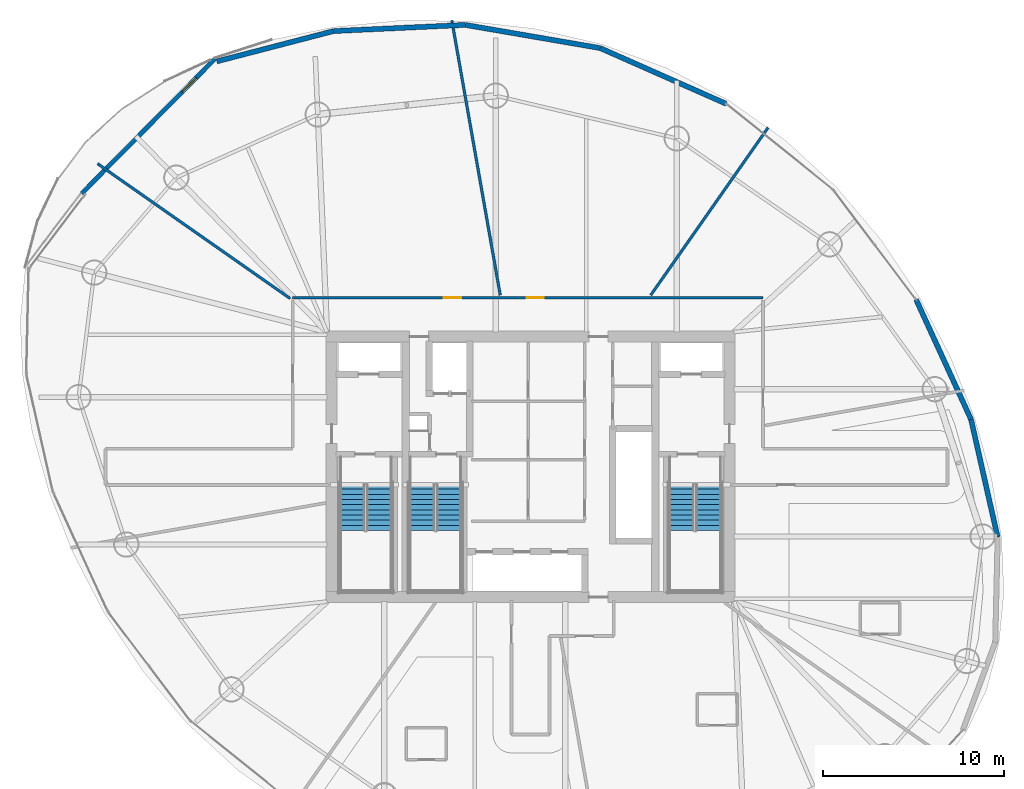
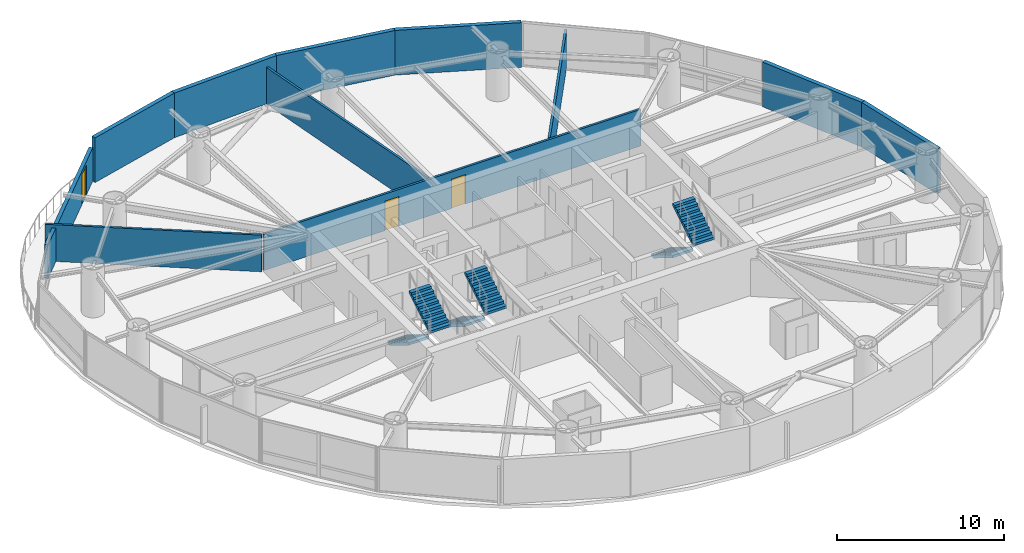
# One storey, part 17 of 20: 11 walls, 6 stair flights, 3 doors, 3 openings, 3 elements without a shape of their own.
"""IFC4 building model written with IfcOpenShell, lengths in metres."""

from ifc_helpers import new_model, si_unit, direction, frame, frame_2d, origin, place, context, subcontext, project, spatial, polyline, rectangle, outline, extrude, material, layer, layer_set, type_object, element, fill, aggregate, save


model = new_model("IFC4")

# Units and contexts
model_context = context("Model", 3, precision=1e-05, world=origin(), true_north=direction((0.0, 1.0)))
body_context = subcontext(model_context, "Body", "Model", "MODEL_VIEW")
ifc_project = project(units=[si_unit("LENGTHUNIT", "METRE"), si_unit("AREAUNIT", "SQUARE_METRE"), si_unit("VOLUMEUNIT", "CUBIC_METRE"), si_unit("PLANEANGLEUNIT", "RADIAN"), si_unit("MASSUNIT", "GRAM", prefix="KILO")], contexts=[model_context])

# Site, building, storey
site_placement = place(None, origin())
site = spatial("IfcSite", under=ifc_project, at=site_placement, CompositionType="ELEMENT")
building_placement = place(site_placement, origin())
building = spatial("IfcBuilding", under=site, at=building_placement, Name="Bramvorn Convention Spire", CompositionType="ELEMENT")
storey_placement = place(building_placement, frame((0.0, 0.0, 155.300048828125)))
storey = spatial("IfcBuildingStorey", under=building, at=storey_placement, Name="L39", CompositionType="ELEMENT", Elevation=155.300048828125)

# Walls
ifc_material_1 = material(Name="Precast Concrete C40/50 with Bronze Terracotta Rainscreen", Category="masonry")
ifc_layer_1 = layer(ifc_material_1, 0.300048828125)
ifc_layer_set_1 = layer_set([ifc_layer_1], Name="Precast Concrete C40/50 with Bronze Terracotta Rainscreen - WL-EXT-BRONZE-300")
wall_type_1 = type_object("IfcWallType", Name="WL-EXT-BRONZE-300", PredefinedType="SOLIDWALL", material=ifc_layer_set_1)
wall_1_placement = place(storey_placement, frame((62.351318359375, 28.619140625, 0.0), z_axis=(0.0, 0.0, 1.0), x_axis=(0.220477855256, -0.975391980355, 0.0)))
element("IfcWall", 1, at=wall_1_placement, inside=storey, type_object=wall_type_1, Name="L39 expressed bronze Gothic lancet pier wall 03", PredefinedType="SOLIDWALL", context=body_context, shape_type="SweptSolid", body=[
    extrude(rectangle(XDim=6.6650390625, YDim=0.280029296875, at=frame_2d((3.33251953125, 0.0))), origin(), (0.0, 0.0, 1.0), 3.260009765625),
])
wall_2_placement = place(storey_placement, frame((59.31298828125, 35.247802734375, 0.0), z_axis=(0.0, 0.0, 1.0), x_axis=(0.416676615021, -0.909054783, 0.0)))
element("IfcWall", 2, at=wall_2_placement, inside=storey, type_object=wall_type_1, Name="L39 expressed bronze Gothic lancet pier wall 04", PredefinedType="SOLIDWALL", context=body_context, shape_type="SweptSolid", body=[
    extrude(rectangle(XDim=7.291748046875, YDim=0.280029296875, at=frame_2d((3.64599609375, 0.0))), origin(), (0.0, 0.0, 1.0), 3.260009765625),
])
wall_3_placement = place(storey_placement, frame((41.852783203125, 49.147216796875, 0.0), z_axis=(0.0, 0.0, 1.0), x_axis=(0.914590963811, -0.404380228147, 0.0)))
element("IfcWall", 3, at=wall_3_placement, inside=storey, type_object=wall_type_1, Name="L39 expressed bronze Gothic lancet pier wall 07", PredefinedType="SOLIDWALL", context=body_context, shape_type="SweptSolid", body=[
    extrude(rectangle(XDim=7.617431640625, YDim=0.280029296875, at=frame_2d((3.80859375, 0.0))), origin(), (0.0, 0.0, 1.0), 3.260009765625),
])
wall_4_placement = place(storey_placement, frame((34.39306640625, 50.42919921875, 0.0), z_axis=(0.0, 0.0, 1.0), x_axis=(0.985552340168, -0.16937114509, 0.0)))
element("IfcWall", 4, at=wall_4_placement, inside=storey, type_object=wall_type_1, Name="L39 expressed bronze Gothic lancet pier wall 08", PredefinedType="SOLIDWALL", context=body_context, shape_type="SweptSolid", body=[
    extrude(rectangle(XDim=7.569091796875, YDim=0.280029296875, at=frame_2d((3.78466796875, 0.0))), origin(), (0.0, 0.0, 1.0), 3.260009765625),
])
wall_5_placement = place(storey_placement, frame((27.109130859375, 50.0888671875, 0.0), z_axis=(0.0, 0.0, 1.0), x_axis=(0.998910234394, 0.0466727289, 0.0)))
element("IfcWall", 5, at=wall_5_placement, inside=storey, type_object=wall_type_1, Name="L39 expressed bronze Gothic lancet pier wall 09", PredefinedType="SOLIDWALL", context=body_context, shape_type="SweptSolid", body=[
    extrude(rectangle(XDim=7.2919921875, YDim=0.280029296875, at=frame_2d((3.64599609375, 0.0))), origin(), (0.0, 0.0, 1.0), 3.260009765625),
])
wall_6_placement = place(storey_placement, frame((20.658203125, 48.412841796875, 0.0), z_axis=(0.0, 0.0, 1.0), x_axis=(0.967866916727, 0.251462982376, 0.0)))
element("IfcWall", 6, at=wall_6_placement, inside=storey, type_object=wall_type_1, Name="L39 expressed bronze Gothic lancet pier wall 10", PredefinedType="SOLIDWALL", context=body_context, shape_type="SweptSolid", body=[
    extrude(rectangle(XDim=6.6650390625, YDim=0.280029296875, at=frame_2d((3.33251953125, 0.0))), origin(), (0.0, 0.0, 1.0), 3.260009765625),
])

# Wall, opening, door
ifc_material_2 = material(Name="Precast Concrete C40/50 Insulated Terrace Wall", Category="concrete")
ifc_layer_2 = layer(ifc_material_2, 0.280029296875)
ifc_layer_set_2 = layer_set([ifc_layer_2], Name="Precast Concrete C40/50 Insulated Terrace Wall - WL-EXT-TERR-280")
wall_type_2 = type_object("IfcWallType", Name="WL-EXT-TERR-280", PredefinedType="SOLIDWALL", material=ifc_layer_set_2)
wall_7_placement = place(storey_placement, frame((13.189453125, 41.11474609375, 0.0), z_axis=(0.0, 0.0, 1.0), x_axis=(0.703641920354, 0.710554746603, 0.0)))
wall_7 = element("IfcWall", 7, at=wall_7_placement, inside=storey, type_object=wall_type_2, Name="L39 Sky Garden recessed terrace wall", PredefinedType="SOLIDWALL", context=body_context, shape_type="SweptSolid", body=[
    extrude(rectangle(XDim=10.4892578125, YDim=0.239990234375, at=frame_2d((5.24462890625, 0.0))), origin(), (0.0, 0.0, 1.0), 2.449951171875),
])
opening_1_placement = place(wall_7_placement, frame((7.88671875, 0.0, 0.0)))
opening_1 = element("IfcOpeningElement", 8, at=opening_1_placement, cuts=wall_7, Name="Opening DE05", PredefinedType="OPENING", context=body_context, shape_type="SweptSolid", body=[
    extrude(rectangle(XDim=1.10009765625, YDim=2.199951171875, at=frame_2d((0.550048828125, 1.10009765625))), frame((0.0, 0.1298828125, 0.0), z_axis=(0.0, -1.0, 0.0), x_axis=(1.0, 0.0, 0.0)), (0.0, 0.0, 1.0), 0.260009765625),
])
ifc_material_3 = material(Name="Anodised Bronze Aluminium & Laminated Safety Glass", Category="aluminium")
door_type_1 = type_object("IfcDoorType", Name="DR-EXT-1100X2200", OperationType="NOTDEFINED", PredefinedType="DOOR", material=ifc_material_3)
door_1_placement = place(opening_1_placement, origin())
door_1 = element("IfcDoor", 9, at=door_1_placement, inside=storey, type_object=door_type_1, Name="L39 Sky Garden Lounge exterior terrace door", OperationType="SINGLE_SWING_LEFT", OverallHeight=2.199951171875, OverallWidth=1.10009765625, PredefinedType="DOOR", context=body_context, shape_type="SweptSolid", body=[
    extrude(rectangle(XDim=1.10009765625, YDim=2.199951171875, at=frame_2d((0.550048828125, 1.10009765625))), frame((0.0, 0.02490234375, 0.0), z_axis=(0.0, -1.0, 0.0), x_axis=(1.0, 0.0, 0.0)), (0.0, 0.0, 1.0), 0.050048828125),
])
fill(opening_1, door_1)

# Wall, openings, doors
ifc_material_4 = material(Name="Acoustic Metal-Stud Tenant/Corridor Partition", Category="gypsum")
ifc_layer_3 = layer(ifc_material_4, 0.14990234375)
ifc_layer_set_3 = layer_set([ifc_layer_3], Name="Acoustic Metal-Stud Tenant/Corridor Partition - WL-PART-150")
wall_type_3 = type_object("IfcWallType", Name="WL-PART-150", PredefinedType="PARTITIONING", material=ifc_layer_set_3)
wall_8_placement = place(storey_placement, frame((24.85009765625, 35.35009765625, 0.0), z_axis=(0.0, 0.0, 1.0), x_axis=(1.0, 0.0, 0.0)))
wall_8 = element("IfcWall", 10, at=wall_8_placement, inside=storey, type_object=wall_type_3, Name="L39 North gallery wall", PredefinedType="PARTITIONING", context=body_context, shape_type="SweptSolid", body=[
    extrude(rectangle(XDim=26.0, YDim=0.14990234375, at=frame_2d((13.0, 0.0))), origin(), (0.0, 0.0, 1.0), 2.675048828125),
])
opening_2_placement = place(wall_8_placement, frame((12.934814453125, 0.0, 0.0)))
opening_2 = element("IfcOpeningElement", 11, at=opening_2_placement, cuts=wall_8, Name="Opening DH-095", PredefinedType="OPENING", context=body_context, shape_type="SweptSolid", body=[
    extrude(rectangle(XDim=0.949951171875, YDim=2.14990234375, at=frame_2d((0.47509765625, 1.074951171875))), frame((0.0, 0.0849609375, 0.0), z_axis=(0.0, -1.0, 0.0), x_axis=(1.0, 0.0, 0.0)), (0.0, 0.0, 1.0), 0.169921875),
])
opening_3_placement = place(wall_8_placement, frame((8.357421875, 0.0, 0.0)))
opening_3 = element("IfcOpeningElement", 12, at=opening_3_placement, cuts=wall_8, Name="Opening DH-095", PredefinedType="OPENING", context=body_context, shape_type="SweptSolid", body=[
    extrude(rectangle(XDim=0.949951171875, YDim=2.14990234375, at=frame_2d((0.47509765625, 1.074951171875))), frame((0.0, 0.0849609375, 0.0), z_axis=(0.0, -1.0, 0.0), x_axis=(1.0, 0.0, 0.0)), (0.0, 0.0, 1.0), 0.169921875),
])
ifc_material_5 = material(Name="Solid-Core Acoustic Guestroom Entry Door", Category="wood")
door_type_2 = type_object("IfcDoorType", Name="DR-HOTEL-950", OperationType="NOTDEFINED", PredefinedType="DOOR", material=ifc_material_5)
door_2_placement = place(opening_2_placement, origin())
door_2 = element("IfcDoor", 13, at=door_2_placement, inside=storey, type_object=door_type_2, Name="L39 Hospitality Lounge 2 door", OperationType="SINGLE_SWING_RIGHT", OverallHeight=2.14990234375, OverallWidth=0.949951171875, PredefinedType="DOOR", context=body_context, shape_type="SweptSolid", body=[
    extrude(rectangle(XDim=0.949951171875, YDim=2.14990234375, at=frame_2d((0.47509765625, 1.074951171875))), frame((0.0, 0.02490234375, 0.0), z_axis=(0.0, -1.0, 0.0), x_axis=(1.0, 0.0, 0.0)), (0.0, 0.0, 1.0), 0.050048828125),
])
fill(opening_2, door_2)
door_3_placement = place(opening_3_placement, origin())
door_3 = element("IfcDoor", 14, at=door_3_placement, inside=storey, type_object=door_type_2, Name="L39 Sky Garden Lounge corridor door", OperationType="SINGLE_SWING_LEFT", OverallHeight=2.14990234375, OverallWidth=0.949951171875, PredefinedType="DOOR", context=body_context, shape_type="SweptSolid", body=[
    extrude(rectangle(XDim=0.949951171875, YDim=2.14990234375, at=frame_2d((0.47509765625, 1.074951171875))), frame((0.0, 0.02490234375, 0.0), z_axis=(0.0, -1.0, 0.0), x_axis=(1.0, 0.0, 0.0)), (0.0, 0.0, 1.0), 0.050048828125),
])
fill(opening_3, door_3)

# Walls
wall_9_placement = place(storey_placement, frame((44.64501953125, 35.489990234375, 0.0), z_axis=(0.0, 0.0, 1.0), x_axis=(0.573575227428, 0.819152890785, 0.0)))
element("IfcWall", 15, at=wall_9_placement, inside=storey, type_object=wall_type_3, Name="L39 Guestroom demising wall 2", PredefinedType="PARTITIONING", context=body_context, shape_type="SweptSolid", body=[
    extrude(rectangle(XDim=11.3212890625, YDim=0.14990234375, at=frame_2d((5.66064453125, 0.0))), origin(), (0.0, 0.0, 1.0), 2.675048828125),
])
wall_10_placement = place(storey_placement, frame((36.32666015625, 35.489990234375, 0.0), z_axis=(0.0, 0.0, 1.0), x_axis=(-0.173649964598, 0.984807437926, 0.0)))
element("IfcWall", 16, at=wall_10_placement, inside=storey, type_object=wall_type_3, Name="L39 Guestroom demising wall 3", PredefinedType="PARTITIONING", context=body_context, shape_type="SweptSolid", body=[
    extrude(rectangle(XDim=15.432861328125, YDim=0.14990234375, at=frame_2d((7.71630859375, 0.0))), origin(), (0.0, 0.0, 1.0), 2.675048828125),
])
wall_11_placement = place(storey_placement, frame((24.7099609375, 35.305908203125, 0.0), z_axis=(0.0, 0.0, 1.0), x_axis=(-0.819152473884, 0.573575822826, 0.0)))
element("IfcWall", 17, at=wall_11_placement, inside=storey, type_object=wall_type_3, Name="L39 Guestroom demising wall 4", PredefinedType="PARTITIONING", context=body_context, shape_type="SweptSolid", body=[
    extrude(rectangle(XDim=12.99462890625, YDim=0.14990234375, at=frame_2d((6.497314453125, 0.0))), origin(), (0.0, 0.0, 1.0), 2.675048828125),
])

# Stair, stair flights
ifc_material_6 = material(Name="Concrete C40/50 Precast Stair", Category="concrete")
stair_type = type_object("IfcStairType", Name="ST-TOWER-1550", PredefinedType="HALF_TURN_STAIR", material=ifc_material_6)
stair_1_placement = place(storey_placement, origin())
stair_1 = element("IfcStair", 18, at=stair_1_placement, inside=storey, type_object=stair_type, Name="L39 Protected Exit Stair ST1", PredefinedType="HALF_TURN_STAIR")
ifc_material_7 = material(Name="Concrete C40/50 Precast Stair Flight", Category="concrete")
stair_flight_type = type_object("IfcStairFlightType", Name="STF-TOWER-1550", PredefinedType="STRAIGHT", material=ifc_material_7)
stair_flight_1_placement = place(storey_placement, frame((28.155029296875, 25.050048828125, 0.0), z_axis=(0.0, 0.0, 1.0), x_axis=(0.0, -1.0, 0.0)))
stair_flight_1 = element("IfcStairFlight", 19, at=stair_flight_1_placement, type_object=stair_flight_type, Name="ST1 flight 1", NumberOfRisers=10, NumberOfTreads=9, PredefinedType="STRAIGHT", RiserHeight=0.175, TreadLength=0.285, context=body_context, shape_type="SweptSolid", body=[
    extrude(outline(polyline([(0.0, 0.0), (0.0, 0.175048828125), (0.284912109375, 0.175048828125), (0.284912109375, 0.35009765625), (0.570068359375, 0.35009765625), (0.570068359375, 0.52490234375), (0.85498046875, 0.52490234375), (0.85498046875, 0.699951171875), (1.139892578125, 0.699951171875), (1.139892578125, 0.875), (1.425048828125, 0.875), (1.425048828125, 1.050048828125), (1.7099609375, 1.050048828125), (1.7099609375, 1.22509765625), (1.9951171875, 1.22509765625), (1.9951171875, 1.39990234375), (2.280029296875, 1.39990234375), (2.280029296875, 1.574951171875), (2.56494140625, 1.574951171875), (2.56494140625, 1.75), (2.56494140625, 1.399169921875), (0.286376953125, 0.0), (0.0, 0.0)])), frame((0.0, 0.705078125, 0.0), z_axis=(0.0, -1.0, 0.0), x_axis=(1.0, 0.0, 0.0)), (0.0, 0.0, 1.0), 1.409912109375),
])
stair_flight_2_placement = place(storey_placement, frame((29.64501953125, 22.485107421875, 1.75), z_axis=(0.0, 0.0, 1.0), x_axis=(0.0, 1.0, 0.0)))
stair_flight_2 = element("IfcStairFlight", 20, at=stair_flight_2_placement, type_object=stair_flight_type, Name="ST1 flight 2", NumberOfRisers=10, NumberOfTreads=9, PredefinedType="STRAIGHT", RiserHeight=0.175, TreadLength=0.285, context=body_context, shape_type="SweptSolid", body=[
    extrude(outline(polyline([(0.0, 0.0), (0.0, 0.175048828125), (0.284912109375, 0.175048828125), (0.284912109375, 0.35009765625), (0.570068359375, 0.35009765625), (0.570068359375, 0.52490234375), (0.85498046875, 0.52490234375), (0.85498046875, 0.699951171875), (1.139892578125, 0.699951171875), (1.139892578125, 0.875), (1.425048828125, 0.875), (1.425048828125, 1.050048828125), (1.7099609375, 1.050048828125), (1.7099609375, 1.22509765625), (1.9951171875, 1.22509765625), (1.9951171875, 1.39990234375), (2.280029296875, 1.39990234375), (2.280029296875, 1.574951171875), (2.56494140625, 1.574951171875), (2.56494140625, 1.75), (2.56494140625, 1.399169921875), (0.286376953125, 0.0), (0.0, 0.0)])), frame((0.0, 0.705078125, 0.0), z_axis=(0.0, -1.0, 0.0), x_axis=(1.0, 0.0, 0.0)), (0.0, 0.0, 1.0), 1.409912109375),
])
aggregate(stair_1, [stair_flight_1, stair_flight_2])

stair_2_placement = place(storey_placement, origin())
stair_2 = element("IfcStair", 21, at=stair_2_placement, inside=storey, type_object=stair_type, Name="L39 Protected Exit Stair ST2", PredefinedType="HALF_TURN_STAIR")
stair_flight_3_placement = place(storey_placement, frame((46.35498046875, 25.050048828125, 0.0), z_axis=(0.0, 0.0, 1.0), x_axis=(0.0, -1.0, 0.0)))
stair_flight_3 = element("IfcStairFlight", 22, at=stair_flight_3_placement, type_object=stair_flight_type, Name="ST2 flight 1", NumberOfRisers=10, NumberOfTreads=9, PredefinedType="STRAIGHT", RiserHeight=0.175, TreadLength=0.285, context=body_context, shape_type="SweptSolid", body=[
    extrude(outline(polyline([(0.0, 0.0), (0.0, 0.175048828125), (0.284912109375, 0.175048828125), (0.284912109375, 0.35009765625), (0.570068359375, 0.35009765625), (0.570068359375, 0.52490234375), (0.85498046875, 0.52490234375), (0.85498046875, 0.699951171875), (1.139892578125, 0.699951171875), (1.139892578125, 0.875), (1.425048828125, 0.875), (1.425048828125, 1.050048828125), (1.7099609375, 1.050048828125), (1.7099609375, 1.22509765625), (1.9951171875, 1.22509765625), (1.9951171875, 1.39990234375), (2.280029296875, 1.39990234375), (2.280029296875, 1.574951171875), (2.56494140625, 1.574951171875), (2.56494140625, 1.75), (2.56494140625, 1.399169921875), (0.286376953125, 0.0), (0.0, 0.0)])), frame((0.0, 0.705078125, 0.0), z_axis=(0.0, -1.0, 0.0), x_axis=(1.0, 0.0, 0.0)), (0.0, 0.0, 1.0), 1.409912109375),
])
stair_flight_4_placement = place(storey_placement, frame((47.844970703125, 22.485107421875, 1.75), z_axis=(0.0, 0.0, 1.0), x_axis=(0.0, 1.0, 0.0)))
stair_flight_4 = element("IfcStairFlight", 23, at=stair_flight_4_placement, type_object=stair_flight_type, Name="ST2 flight 2", NumberOfRisers=10, NumberOfTreads=9, PredefinedType="STRAIGHT", RiserHeight=0.175, TreadLength=0.285, context=body_context, shape_type="SweptSolid", body=[
    extrude(outline(polyline([(0.0, 0.0), (0.0, 0.175048828125), (0.284912109375, 0.175048828125), (0.284912109375, 0.35009765625), (0.570068359375, 0.35009765625), (0.570068359375, 0.52490234375), (0.85498046875, 0.52490234375), (0.85498046875, 0.699951171875), (1.139892578125, 0.699951171875), (1.139892578125, 0.875), (1.425048828125, 0.875), (1.425048828125, 1.050048828125), (1.7099609375, 1.050048828125), (1.7099609375, 1.22509765625), (1.9951171875, 1.22509765625), (1.9951171875, 1.39990234375), (2.280029296875, 1.39990234375), (2.280029296875, 1.574951171875), (2.56494140625, 1.574951171875), (2.56494140625, 1.75), (2.56494140625, 1.399169921875), (0.286376953125, 0.0), (0.0, 0.0)])), frame((0.0, 0.705078125, 0.0), z_axis=(0.0, -1.0, 0.0), x_axis=(1.0, 0.0, 0.0)), (0.0, 0.0, 1.0), 1.409912109375),
])
aggregate(stair_2, [stair_flight_3, stair_flight_4])

stair_3_placement = place(storey_placement, origin())
stair_3 = element("IfcStair", 24, at=stair_3_placement, inside=storey, type_object=stair_type, Name="L39 Protected Exit Stair ST3", PredefinedType="HALF_TURN_STAIR")
stair_flight_5_placement = place(storey_placement, frame((32.0048828125, 25.050048828125, 0.0), z_axis=(0.0, 0.0, 1.0), x_axis=(0.0, -1.0, 0.0)))
stair_flight_5 = element("IfcStairFlight", 25, at=stair_flight_5_placement, type_object=stair_flight_type, Name="ST3 flight 1", NumberOfRisers=10, NumberOfTreads=9, PredefinedType="STRAIGHT", RiserHeight=0.175, TreadLength=0.285, context=body_context, shape_type="SweptSolid", body=[
    extrude(outline(polyline([(0.0, 0.0), (0.0, 0.175048828125), (0.284912109375, 0.175048828125), (0.284912109375, 0.35009765625), (0.570068359375, 0.35009765625), (0.570068359375, 0.52490234375), (0.85498046875, 0.52490234375), (0.85498046875, 0.699951171875), (1.139892578125, 0.699951171875), (1.139892578125, 0.875), (1.425048828125, 0.875), (1.425048828125, 1.050048828125), (1.7099609375, 1.050048828125), (1.7099609375, 1.22509765625), (1.9951171875, 1.22509765625), (1.9951171875, 1.39990234375), (2.280029296875, 1.39990234375), (2.280029296875, 1.574951171875), (2.56494140625, 1.574951171875), (2.56494140625, 1.75), (2.56494140625, 1.399169921875), (0.286376953125, 0.0), (0.0, 0.0)])), frame((0.0, 0.705078125, 0.0), z_axis=(0.0, -1.0, 0.0), x_axis=(1.0, 0.0, 0.0)), (0.0, 0.0, 1.0), 1.409912109375),
])
stair_flight_6_placement = place(storey_placement, frame((33.4951171875, 22.485107421875, 1.75), z_axis=(0.0, 0.0, 1.0), x_axis=(0.0, 1.0, 0.0)))
stair_flight_6 = element("IfcStairFlight", 26, at=stair_flight_6_placement, type_object=stair_flight_type, Name="ST3 flight 2", NumberOfRisers=10, NumberOfTreads=9, PredefinedType="STRAIGHT", RiserHeight=0.175, TreadLength=0.285, context=body_context, shape_type="SweptSolid", body=[
    extrude(outline(polyline([(0.0, 0.0), (0.0, 0.175048828125), (0.284912109375, 0.175048828125), (0.284912109375, 0.35009765625), (0.570068359375, 0.35009765625), (0.570068359375, 0.52490234375), (0.85498046875, 0.52490234375), (0.85498046875, 0.699951171875), (1.139892578125, 0.699951171875), (1.139892578125, 0.875), (1.425048828125, 0.875), (1.425048828125, 1.050048828125), (1.7099609375, 1.050048828125), (1.7099609375, 1.22509765625), (1.9951171875, 1.22509765625), (1.9951171875, 1.39990234375), (2.280029296875, 1.39990234375), (2.280029296875, 1.574951171875), (2.56494140625, 1.574951171875), (2.56494140625, 1.75), (2.56494140625, 1.399169921875), (0.286376953125, 0.0), (0.0, 0.0)])), frame((0.0, 0.705078125, 0.0), z_axis=(0.0, -1.0, 0.0), x_axis=(1.0, 0.0, 0.0)), (0.0, 0.0, 1.0), 1.409912109375),
])
aggregate(stair_3, [stair_flight_5, stair_flight_6])

save(model, "model.ifc")
